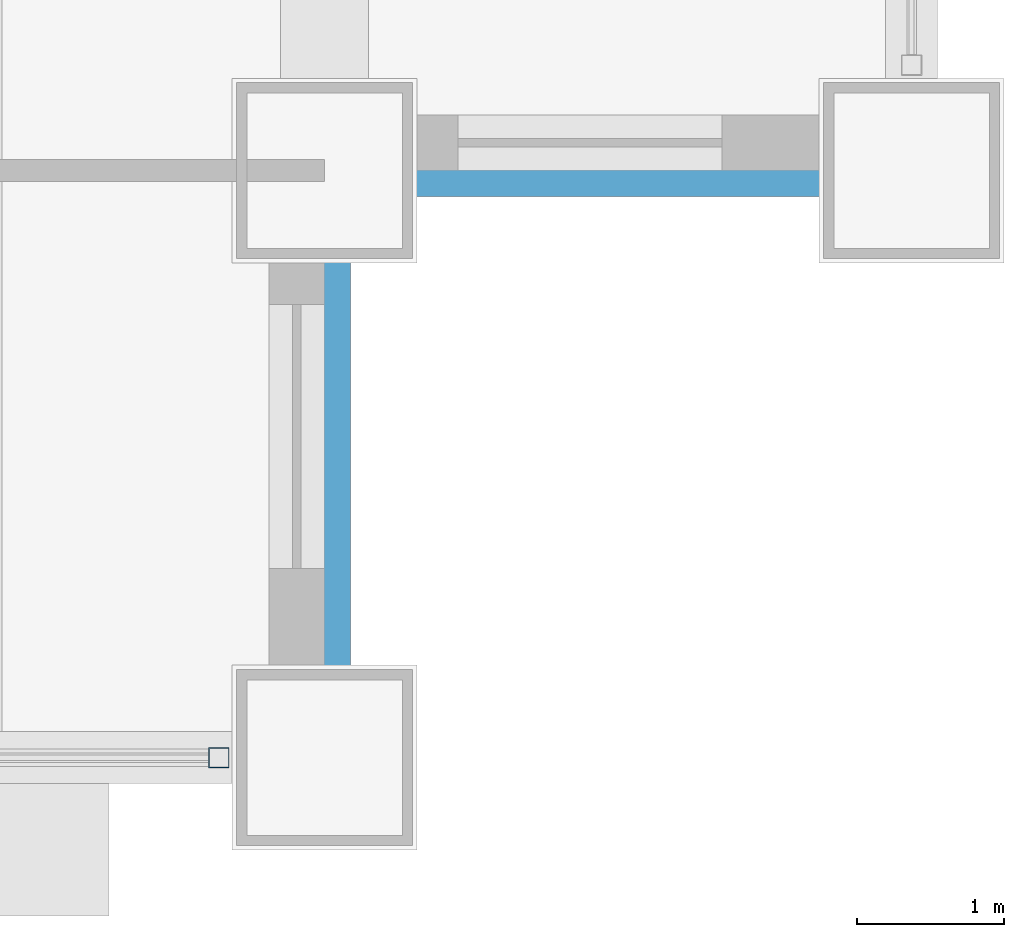
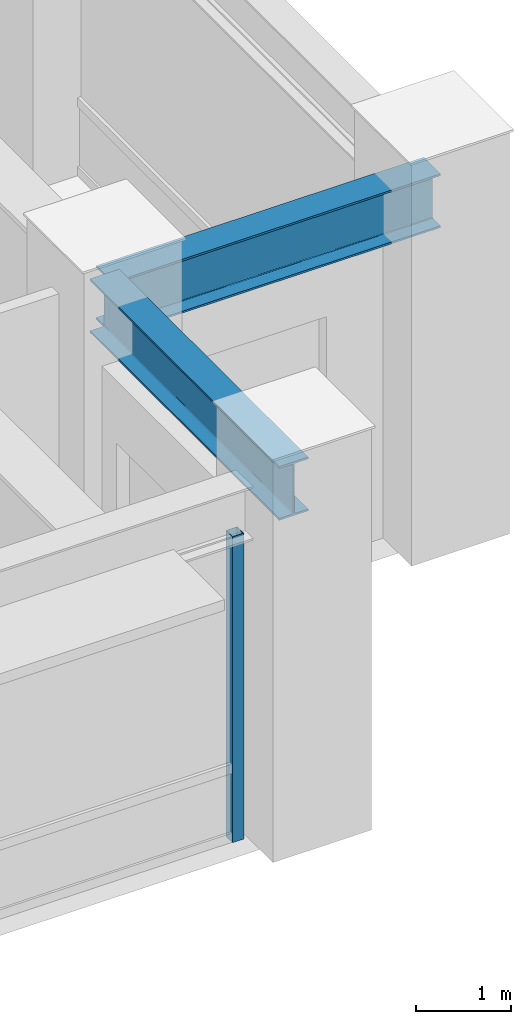
# One storey, part 8 of 34: 2 beams, 1 member, 1 element without a shape of its own.
"""IFC4 building model written with IfcOpenShell, lengths in metres."""

from ifc_helpers import new_model, si_unit, direction, frame, origin, origin_2d, place, context, subcontext, project, spatial, hollow_rectangle, i_section, extrude, source, transform, mapped, material, material_profile, profile_set, type_object, element, aggregate, save


model = new_model("IFC4")

# Units and contexts
model_context = context("Model", 3, precision=1e-05, world=origin(), true_north=direction((0.0, 1.0)))
body_context = subcontext(model_context, "Body", "Model", "MODEL_VIEW")
ifc_project = project(units=[si_unit("LENGTHUNIT", "METRE"), si_unit("AREAUNIT", "SQUARE_METRE"), si_unit("VOLUMEUNIT", "CUBIC_METRE"), si_unit("PLANEANGLEUNIT", "RADIAN"), si_unit("MASSUNIT", "GRAM", prefix="KILO")], contexts=[model_context])

# Site, building, storey
site_placement = place(None, origin())
site = spatial("IfcSite", under=ifc_project, at=site_placement, CompositionType="ELEMENT")
building_placement = place(site_placement, origin())
building = spatial("IfcBuilding", under=site, at=building_placement, Name="Khorayat Bourse Tower", CompositionType="ELEMENT")
storey_placement = place(building_placement, frame((0.0, 0.0, 144.699951171875)))
storey = spatial("IfcBuildingStorey", under=building, at=storey_placement, Name="L33", CompositionType="ELEMENT", Elevation=144.699951171875)

# Beams
ifc_material_1 = material(Name="Steel ASTM A992 Grade 50", Category="steel")
ifc_material_profile_1 = material_profile(ifc_material_1, i_section(OverallWidth=0.35498046875, OverallDepth=0.695068359375, WebThickness=0.015380859375, FlangeThickness=0.02490234375, FilletRadius=0.01806640625, at=origin_2d()), Name="W690X217")
ifc_profile_set_1 = profile_set([ifc_material_profile_1], Name="Steel ASTM A992 Grade 50")
beam_type = type_object("IfcBeamType", Name="BM-SPAN-690", PredefinedType="SPANDREL", material=ifc_profile_set_1)
shared_shape_1 = source(origin(), body_context, "Body", "SweptSolid", [
    extrude(i_section(OverallWidth=0.35498046875, OverallDepth=0.695068359375, WebThickness=0.015380859375, FlangeThickness=0.02490234375, FilletRadius=0.01806640625, at=origin_2d()), origin(), (0.0, 0.0, 1.0), 4.0),
])
for number, where, z_axis, x_axis, name in (
    (1, (28.0, -32.0, 4.25244140625), (0.0, 1.0, 0.0), (-1.0, 0.0, 0.0), "L33 BM-SPAN-690 BM-L33-SPN-032"),
    (2, (28.0, -28.0, 4.25244140625), (1.0, 0.0, 0.0), (0.0, 1.0, 0.0), "L33 BM-SPAN-690 BM-L33-SPN-033"),
):
    element("IfcBeam", number, at=place(storey_placement, frame(where, z_axis=z_axis, x_axis=x_axis)), inside=storey, type_object=beam_type, Name=name, PredefinedType="SPANDREL", context=body_context, shape_type="MappedRepresentation", body=[
        mapped(shared_shape_1, transform((0.0, 0.0, 0.0), scale=1.0)),
    ])

# Curtain wall, member
ifc_material_2 = material(Name="Aluminium EN AW-6063 T6", Category="aluminium")
curtain_wall_type = type_object("IfcCurtainWallType", Name="CW-SYS-05", PredefinedType="NOTDEFINED", material=ifc_material_2)
curtain_wall_placement = place(storey_placement, origin())
curtain_wall = element("IfcCurtainWall", 3, at=curtain_wall_placement, inside=storey, type_object=curtain_wall_type, Name="L33 Curtain Wall CW-L33-S2", PredefinedType="NOTDEFINED")
ifc_material_profile_2 = material_profile(ifc_material_2, hollow_rectangle(XDim=0.139892578125, YDim=0.139892578125, WallThickness=0.006103515625, at=origin_2d()), Name="ALU 140x140x6")
ifc_profile_set_2 = profile_set([ifc_material_profile_2], Name="Aluminium EN AW-6063 T6")
member_type = type_object("IfcMemberType", Name="CWM-VERT-140", PredefinedType="MULLION", material=ifc_profile_set_2)
shared_shape_2 = source(origin(), body_context, "Body", "SweptSolid", [
    extrude(hollow_rectangle(XDim=0.139892578125, YDim=0.139892578125, WallThickness=0.006103515625, at=origin_2d()), origin(), (0.0, 0.0, 1.0), 3.949951171875),
])
member_placement = place(storey_placement, frame((27.280029296875, -32.0, 0.0), z_axis=(0.0, 0.0, 1.0), x_axis=(0.0, 1.0, 0.0)))
member = element("IfcMember", 4, at=member_placement, type_object=member_type, Name="CW-L33-S2 Vertical Mullion 3", PredefinedType="MULLION", context=body_context, shape_type="MappedRepresentation", body=[
    mapped(shared_shape_2, transform((0.0, 0.0, 0.0), scale=1.0)),
])
aggregate(curtain_wall, [member])

save(model, "model.ifc")
